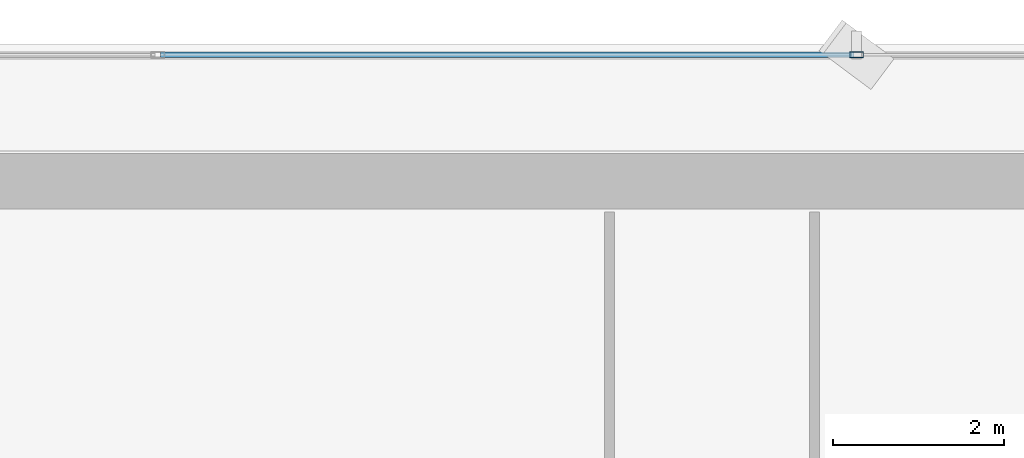
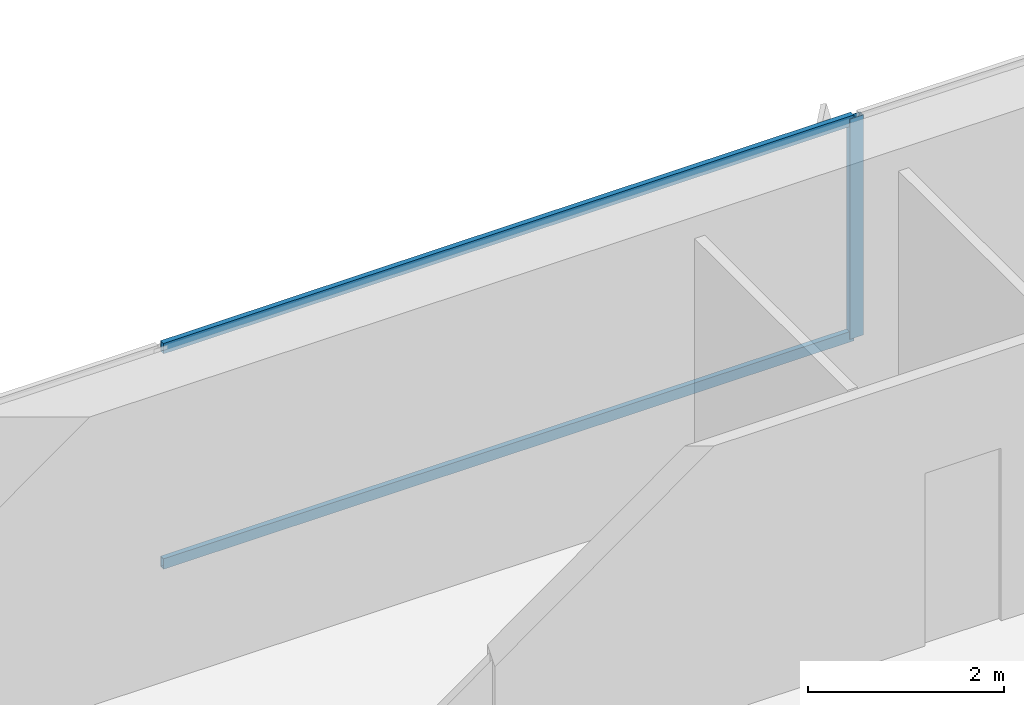
# One storey, part 22 of 37: 3 members, 1 element without a shape of its own.
"""IFC4 building model written with IfcOpenShell, lengths in metres."""

import ifcopenshell
import ifcopenshell.guid

model = None  # the IFC model being written
_history = None  # IfcOwnerHistory: only IFC2X3 demands one
_inside = {}  # id of a spatial element -> (the spatial element, [elements in it])
_under = {}  # id of a project, library or spatial element -> (it, [spatial elements below it])
_declared = {}  # id of a project -> (the project, [libraries it declares])
_typed = {}  # id of a type object -> (the type object, [elements of that type])
_made_of = {}  # id of a material, layer set ... -> (it, [elements and type objects made of it])


def new_model(schema):
    """Start an empty IFC model of exactly this schema.

    Asked for "IFC4X3", IfcOpenShell would pick the latest addendum, in which some entities
    have other attributes; the version numbers below select the first issue.
    IFC2X3 requires an IfcOwnerHistory on every rooted entity: one is made here for all.
    """
    global model, _history
    if schema == "IFC4X3":
        model = ifcopenshell.file(schema_version=(4, 3, 0, 0))
    else:
        model = ifcopenshell.file(schema=schema)
    _inside.clear()
    _under.clear()
    _declared.clear()
    _typed.clear()
    _made_of.clear()
    _history = None
    if model.schema == "IFC2X3":
        org = make("IfcOrganization", Name="unknown")
        user = make(
            "IfcPersonAndOrganization",
            ThePerson=make("IfcPerson", FamilyName="unknown"),
            TheOrganization=org,
        )
        app = make(
            "IfcApplication",
            ApplicationDeveloper=org,
            Version="unknown",
            ApplicationFullName="unknown",
            ApplicationIdentifier="unknown",
        )
        _history = make(
            "IfcOwnerHistory",
            OwningUser=user,
            OwningApplication=app,
            ChangeAction="ADDED",
            CreationDate=0,
        )
    return model


def make(cls, **values):
    """One entity of the class cls with the attributes given. An attribute that is None is left unset."""
    return model.create_entity(
        cls, **{name: value for name, value in values.items() if value is not None}
    )


def rooted(cls, **values):
    """An entity with a GlobalId (a new one), such as an element, a storey or a relation."""
    return make(cls, GlobalId=ifcopenshell.guid.new(), OwnerHistory=_history, **values)


def si_unit(unit_type, name, prefix=None):
    """IfcSIUnit, for example si_unit("LENGTHUNIT", "METRE", prefix="MILLI")."""
    return make("IfcSIUnit", UnitType=unit_type, Prefix=prefix, Name=name)


def assignment(units):
    """IfcUnitAssignment: the units of a project."""
    return None if units is None else make("IfcUnitAssignment", Units=units)


def point(xyz):
    """IfcCartesianPoint."""
    return None if xyz is None else make("IfcCartesianPoint", Coordinates=xyz)


def direction(xyz):
    """IfcDirection."""
    return None if xyz is None else make("IfcDirection", DirectionRatios=xyz)


def frame(location, z_axis=None, x_axis=None):
    """IfcAxis2Placement3D, a coordinate frame: its origin and axes. An axis left out is left unset."""
    return make(
        "IfcAxis2Placement3D",
        Location=point(location),
        Axis=direction(z_axis),
        RefDirection=direction(x_axis),
    )


def frame_2d(location, x_axis=None):
    """IfcAxis2Placement2D, a coordinate frame in the plane: its origin and x axis."""
    return make(
        "IfcAxis2Placement2D", Location=point(location), RefDirection=direction(x_axis)
    )


def origin():
    """The frame at (0, 0, 0) with its axes left unset."""
    return frame((0.0, 0.0, 0.0))


def origin_2d():
    """The frame at (0, 0) in the plane with its x axis left unset."""
    return frame_2d((0.0, 0.0))


def place(relative_to, where):
    """IfcLocalPlacement: puts the frame where relative to a parent placement (None: the world)."""
    return make(
        "IfcLocalPlacement", PlacementRelTo=relative_to, RelativePlacement=where
    )


def context(
    kind, dimensions, precision=None, world=None, true_north=None, identifier=None
):
    """IfcGeometricRepresentationContext, for example the 3D "Model" context."""
    return make(
        "IfcGeometricRepresentationContext",
        ContextIdentifier=identifier,
        ContextType=kind,
        CoordinateSpaceDimension=dimensions,
        Precision=precision,
        WorldCoordinateSystem=world,
        TrueNorth=true_north,
    )


def subcontext(parent, identifier, kind, view, scale=None):
    """IfcGeometricRepresentationSubContext, for example "Body" below "Model"."""
    return make(
        "IfcGeometricRepresentationSubContext",
        ContextIdentifier=identifier,
        ContextType=kind,
        ParentContext=parent,
        TargetScale=scale,
        TargetView=view,
    )


def project(units=None, contexts=None):
    """IfcProject with its units and contexts."""
    return rooted(
        "IfcProject",
        Name="project",
        RepresentationContexts=contexts,
        UnitsInContext=assignment(units),
    )


def spatial(cls, under=None, at=None, **own):
    """A site, building, storey or space (cls), placed at a placement, below another one or the project."""
    s = rooted(cls, ObjectPlacement=at, **own)
    if under is not None:
        _under.setdefault(under.id(), (under, []))[1].append(s)
    return s


def profile(cls, at=None, kind="AREA", **sizes):
    """A parametric profile (cls). Its sizes go by their IFC names, for example OverallWidth=200.0."""
    return make(cls, ProfileType=kind, Position=at, **sizes)


def hollow_rectangle(**sizes):
    """IfcRectangleHollowProfileDef."""
    return profile("IfcRectangleHollowProfileDef", **sizes)


def extrude(swept, where, along, depth):
    """IfcExtrudedAreaSolid: the profile swept, set in the frame where, extruded along a direction by depth."""
    return make(
        "IfcExtrudedAreaSolid",
        SweptArea=swept,
        Position=where,
        ExtrudedDirection=direction(along),
        Depth=depth,
    )


def shape(context_of_items, identifier, shape_type, items):
    """IfcShapeRepresentation: the items that make up one representation, for example the "Body"."""
    return make(
        "IfcShapeRepresentation",
        ContextOfItems=context_of_items,
        RepresentationIdentifier=identifier,
        RepresentationType=shape_type,
        Items=items,
    )


def source(mapping_origin, context_of_items, identifier, shape_type, items):
    """IfcRepresentationMap: a shape defined once, which mapped items show again and again."""
    return make(
        "IfcRepresentationMap",
        MappingOrigin=mapping_origin,
        MappedRepresentation=shape(context_of_items, identifier, shape_type, items),
    )


def transform(
    local_origin,
    x_axis=None,
    y_axis=None,
    z_axis=None,
    scale=None,
    scale2=None,
    scale3=None,
    uniform=True,
):
    """IfcCartesianTransformationOperator3D, or its non-uniform kind. x_axis, y_axis, z_axis: its Axis1, 2, 3."""
    if uniform:
        return make(
            "IfcCartesianTransformationOperator3D",
            Axis1=direction(x_axis),
            Axis2=direction(y_axis),
            LocalOrigin=point(local_origin),
            Scale=scale,
            Axis3=direction(z_axis),
        )
    return make(
        "IfcCartesianTransformationOperator3DnonUniform",
        Axis1=direction(x_axis),
        Axis2=direction(y_axis),
        LocalOrigin=point(local_origin),
        Scale=scale,
        Axis3=direction(z_axis),
        Scale2=scale2,
        Scale3=scale3,
    )


def mapped(mapping_source, mapping_target):
    """IfcMappedItem: shows the shape of a source again, moved by a transform."""
    return make(
        "IfcMappedItem", MappingSource=mapping_source, MappingTarget=mapping_target
    )


def material(Name=None, Category=None):
    """IfcMaterial."""
    return make("IfcMaterial", Name=Name, Category=Category)


def layer(
    of_material, thickness, ventilated=None, Name=None, Category=None, Priority=None
):
    """IfcMaterialLayer: one layer of a wall or slab, of a material (None: an air gap)."""
    return make(
        "IfcMaterialLayer",
        Material=of_material,
        LayerThickness=thickness,
        IsVentilated=ventilated,
        Name=Name,
        Category=Category,
        Priority=Priority,
    )


def layer_set(layers, Name=None):
    """IfcMaterialLayerSet."""
    return make("IfcMaterialLayerSet", MaterialLayers=layers, LayerSetName=Name)


def material_profile(
    of_material, cross_section, Name=None, Category=None, Priority=None
):
    """IfcMaterialProfile: a cross section and its material."""
    return make(
        "IfcMaterialProfile",
        Name=Name,
        Material=of_material,
        Profile=cross_section,
        Priority=Priority,
        Category=Category,
    )


def profile_set(profiles, Name=None, composite=None):
    """IfcMaterialProfileSet."""
    return make(
        "IfcMaterialProfileSet",
        Name=Name,
        MaterialProfiles=profiles,
        CompositeProfile=composite,
    )


def made_of(thing, what):
    """Note that an element or type object is made of a material, layer set ...; save() writes the relation."""
    if what is not None:
        _made_of.setdefault(what.id(), (what, []))[1].append(thing)
    return thing


def type_object(cls, material=None, **own):
    """A type object (cls), such as IfcWallType, which elements share."""
    return made_of(rooted(cls, **own), material)


def element(
    cls,
    number,
    at=None,
    inside=None,
    cuts=None,
    type_object=None,
    material=None,
    context=None,
    identifier="Body",
    shape_type=None,
    held_by="IfcProductDefinitionShape",
    body=None,
    shapes=None,
    **own,
):
    """One element of the class cls, such as IfcWall. Its Tag is "e" and its number.

    at: its placement. inside: the storey or other place that contains it. cuts: it is an
    opening in that element (IfcRelVoidsElement). A single representation is given by context,
    identifier, shape_type and body (its items); several are given by shapes. held_by: the class
    of the entity that holds the representations. save() writes the other relations.
    """
    e = rooted(cls, Tag="e%d" % number, ObjectPlacement=at, **own)
    if body is not None:
        shapes = [shape(context, identifier, shape_type, body)]
    if shapes is not None:
        e.Representation = make(held_by, Representations=shapes)
    if inside is not None:
        _inside.setdefault(inside.id(), (inside, []))[1].append(e)
    if cuts is not None:
        rooted(
            "IfcRelVoidsElement", RelatingBuildingElement=cuts, RelatedOpeningElement=e
        )
    if type_object is not None:
        _typed.setdefault(type_object.id(), (type_object, []))[1].append(e)
    return made_of(e, material)


def aggregate(whole, parts):
    """IfcRelAggregates: a whole, such as a stair, and the parts it consists of."""
    return rooted("IfcRelAggregates", RelatingObject=whole, RelatedObjects=parts)


def save(model, path):
    """Write the relations noted so far, then the file.

    IfcRelAggregates (storeys below a building ...), IfcRelContainedInSpatialStructure (elements
    in a storey), IfcRelDefinesByType, IfcRelAssociatesMaterial and IfcRelDeclares: one each for
    every whole, place, type object, material and project.
    """
    for whole, parts in _under.values():
        aggregate(whole, parts)
    for where, things in _inside.values():
        rooted(
            "IfcRelContainedInSpatialStructure",
            RelatedElements=things,
            RelatingStructure=where,
        )
    for kind, things in _typed.values():
        rooted("IfcRelDefinesByType", RelatedObjects=things, RelatingType=kind)
    for what, things in _made_of.values():
        rooted("IfcRelAssociatesMaterial", RelatedObjects=things, RelatingMaterial=what)
    for by, libraries in _declared.values():
        rooted("IfcRelDeclares", RelatingContext=by, RelatedDefinitions=libraries)
    model.write(path)


model = new_model("IFC4")

# Units and contexts
model_context = context("Model", 3, precision=1e-05, world=origin(), true_north=direction((0.0, 1.0)))
body_context = subcontext(model_context, "Body", "Model", "MODEL_VIEW")
ifc_project = project(units=[si_unit("LENGTHUNIT", "METRE"), si_unit("AREAUNIT", "SQUARE_METRE"), si_unit("VOLUMEUNIT", "CUBIC_METRE"), si_unit("PLANEANGLEUNIT", "RADIAN"), si_unit("MASSUNIT", "GRAM", prefix="KILO")], contexts=[model_context])

# Site, building, storey
site_placement = place(None, origin())
site = spatial("IfcSite", under=ifc_project, at=site_placement, CompositionType="ELEMENT")
building_placement = place(site_placement, origin())
building = spatial("IfcBuilding", under=site, at=building_placement, Name="Sumidabori Civic Tower", CompositionType="ELEMENT")
storey_placement = place(building_placement, frame((0.0, 0.0, 81.199951171875)))
storey = spatial("IfcBuildingStorey", under=building, at=storey_placement, Name="L20", CompositionType="ELEMENT", Elevation=81.199951171875)

# Curtain wall, members
ifc_material = material(Name="Anodised Bronze Aluminium AW-6063-T6", Category="aluminium")
ifc_layer = layer(ifc_material, 0.179931640625, Name="Anodised Bronze Aluminium AW-6063-T6")
ifc_layer_set = layer_set([ifc_layer], Name="Anodised Bronze Aluminium AW-6063-T6")
curtain_wall_type = type_object("IfcCurtainWallType", Name="CW-SYS-3", PredefinedType="NOTDEFINED", material=ifc_layer_set)
curtain_wall_placement = place(storey_placement, origin())
curtain_wall = element("IfcCurtainWall", 1, at=curtain_wall_placement, inside=storey, type_object=curtain_wall_type, Name="Curtain Wall CW:L20:R07", PredefinedType="NOTDEFINED")
ifc_material_profile_1 = material_profile(ifc_material, hollow_rectangle(XDim=0.06494140625, YDim=0.159912109375, WallThickness=0.0048828125, at=origin_2d()), Name="ALU MULLION 160x65")
ifc_profile_set_1 = profile_set([ifc_material_profile_1], Name="Anodised Bronze Aluminium AW-6063-T6")
member_type_1 = type_object("IfcMemberType", Name="CW-MUL-160", PredefinedType="MULLION", material=ifc_profile_set_1)
shared_shape_1 = source(origin(), body_context, "Body", "SweptSolid", [
    extrude(hollow_rectangle(XDim=0.06494140625, YDim=0.159912109375, WallThickness=0.0048828125, at=origin_2d()), origin(), (0.0, 0.0, 1.0), 2.739990234375),
])
member_1_placement = place(storey_placement, frame((4.093994140625, 25.280029296875, 0.0), z_axis=(0.0, 0.0, 1.0), x_axis=(0.0, -1.0, 0.0)))
member_1 = element("IfcMember", 2, at=member_1_placement, type_object=member_type_1, Name="CW-3 mullion 3", PredefinedType="MULLION", context=body_context, shape_type="MappedRepresentation", body=[
    mapped(shared_shape_1, transform((0.0, 0.0, 0.0), x_axis=(1.0, 0.0, 0.0), y_axis=(0.0, 1.0, 0.0), z_axis=(0.0, 0.0, 1.0), scale=1.0)),
])
ifc_material_profile_2 = material_profile(ifc_material, hollow_rectangle(XDim=0.06005859375, YDim=0.1298828125, WallThickness=0.0048828125, at=origin_2d()), Name="ALU TRANSOM 130x60")
ifc_profile_set_2 = profile_set([ifc_material_profile_2], Name="Anodised Bronze Aluminium AW-6063-T6")
member_type_2 = type_object("IfcMemberType", Name="CW-TRN-130", PredefinedType="USERDEFINED", material=ifc_profile_set_2)
shared_shape_2 = source(origin(), body_context, "Body", "SweptSolid", [
    extrude(hollow_rectangle(XDim=0.06005859375, YDim=0.1298828125, WallThickness=0.0048828125, at=origin_2d()), origin(), (0.0, 0.0, 1.0), 8.123046875),
])
member_2_placement = place(storey_placement, frame((4.0615234375, 25.280029296875, 0.030029296875), z_axis=(-1.0, 0.0, 0.0), x_axis=(0.0, -1.0, 0.0)))
member_2 = element("IfcMember", 3, at=member_2_placement, type_object=member_type_2, Name="CW-3 transom 3.1", ObjectType="TRANSOM", PredefinedType="USERDEFINED", context=body_context, shape_type="MappedRepresentation", body=[
    mapped(shared_shape_2, transform((0.0, 0.0, 0.0), x_axis=(1.0, 0.0, 0.0), y_axis=(0.0, 1.0, 0.0), z_axis=(0.0, 0.0, 1.0), scale=1.0)),
])
member_3_placement = place(storey_placement, frame((4.0615234375, 25.280029296875, 2.7099609375), z_axis=(-1.0, 0.0, 0.0), x_axis=(0.0, -1.0, 0.0)))
member_3 = element("IfcMember", 4, at=member_3_placement, type_object=member_type_2, Name="CW-3 transom 3.2", ObjectType="TRANSOM", PredefinedType="USERDEFINED", context=body_context, shape_type="MappedRepresentation", body=[
    mapped(shared_shape_2, transform((0.0, 0.0, 0.0), x_axis=(1.0, 0.0, 0.0), y_axis=(0.0, 1.0, 0.0), z_axis=(0.0, 0.0, 1.0), scale=1.0)),
])
aggregate(curtain_wall, [member_1, member_2, member_3])

save(model, "model.ifc")
